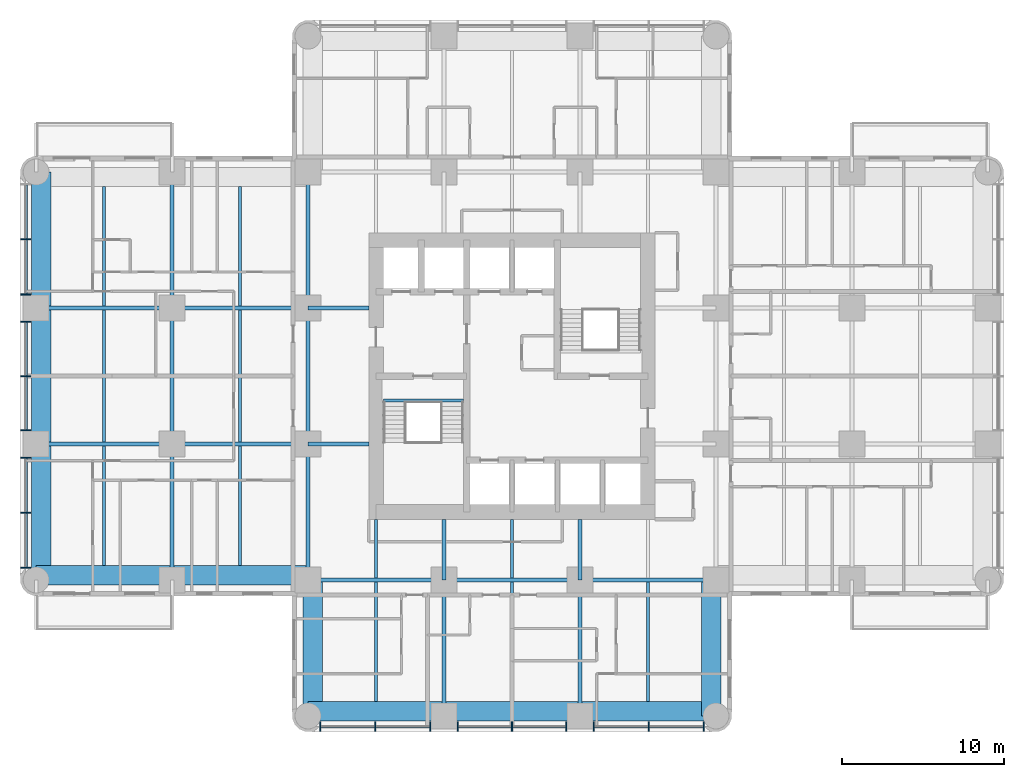
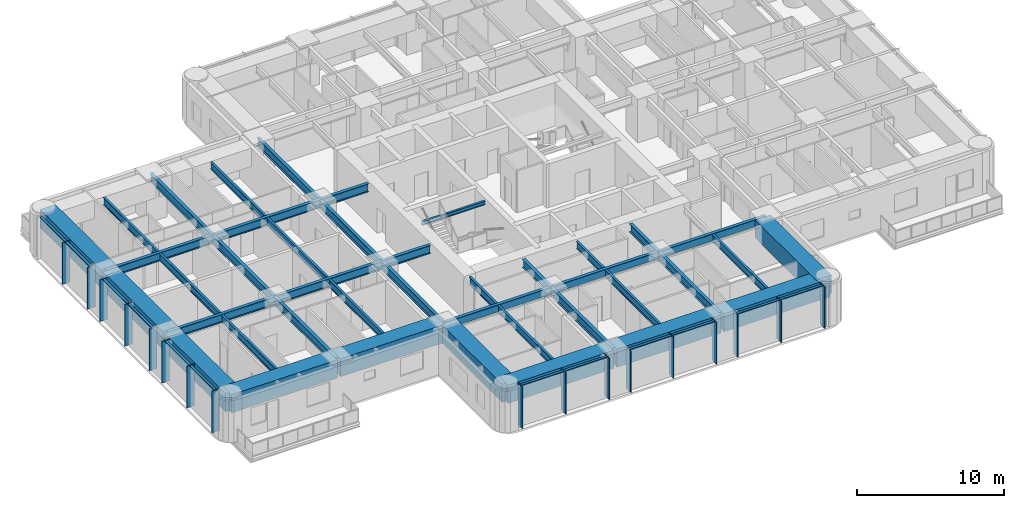
# One storey, part 2 of 14: 41 beams, 29 members, 2 elements without a shape of their own.
"""IFC4 building model written with IfcOpenShell, lengths in metres."""

import ifcopenshell
import ifcopenshell.guid

model = None  # the IFC model being written
_history = None  # IfcOwnerHistory: only IFC2X3 demands one
_inside = {}  # id of a spatial element -> (the spatial element, [elements in it])
_under = {}  # id of a project, library or spatial element -> (it, [spatial elements below it])
_declared = {}  # id of a project -> (the project, [libraries it declares])
_typed = {}  # id of a type object -> (the type object, [elements of that type])
_made_of = {}  # id of a material, layer set ... -> (it, [elements and type objects made of it])


def new_model(schema):
    """Start an empty IFC model of exactly this schema.

    Asked for "IFC4X3", IfcOpenShell would pick the latest addendum, in which some entities
    have other attributes; the version numbers below select the first issue.
    IFC2X3 requires an IfcOwnerHistory on every rooted entity: one is made here for all.
    """
    global model, _history
    if schema == "IFC4X3":
        model = ifcopenshell.file(schema_version=(4, 3, 0, 0))
    else:
        model = ifcopenshell.file(schema=schema)
    _inside.clear()
    _under.clear()
    _declared.clear()
    _typed.clear()
    _made_of.clear()
    _history = None
    if model.schema == "IFC2X3":
        org = make("IfcOrganization", Name="unknown")
        user = make(
            "IfcPersonAndOrganization",
            ThePerson=make("IfcPerson", FamilyName="unknown"),
            TheOrganization=org,
        )
        app = make(
            "IfcApplication",
            ApplicationDeveloper=org,
            Version="unknown",
            ApplicationFullName="unknown",
            ApplicationIdentifier="unknown",
        )
        _history = make(
            "IfcOwnerHistory",
            OwningUser=user,
            OwningApplication=app,
            ChangeAction="ADDED",
            CreationDate=0,
        )
    return model


def make(cls, **values):
    """One entity of the class cls with the attributes given. An attribute that is None is left unset."""
    return model.create_entity(
        cls, **{name: value for name, value in values.items() if value is not None}
    )


def rooted(cls, **values):
    """An entity with a GlobalId (a new one), such as an element, a storey or a relation."""
    return make(cls, GlobalId=ifcopenshell.guid.new(), OwnerHistory=_history, **values)


def si_unit(unit_type, name, prefix=None):
    """IfcSIUnit, for example si_unit("LENGTHUNIT", "METRE", prefix="MILLI")."""
    return make("IfcSIUnit", UnitType=unit_type, Prefix=prefix, Name=name)


def assignment(units):
    """IfcUnitAssignment: the units of a project."""
    return None if units is None else make("IfcUnitAssignment", Units=units)


def point(xyz):
    """IfcCartesianPoint."""
    return None if xyz is None else make("IfcCartesianPoint", Coordinates=xyz)


def direction(xyz):
    """IfcDirection."""
    return None if xyz is None else make("IfcDirection", DirectionRatios=xyz)


def frame(location, z_axis=None, x_axis=None):
    """IfcAxis2Placement3D, a coordinate frame: its origin and axes. An axis left out is left unset."""
    return make(
        "IfcAxis2Placement3D",
        Location=point(location),
        Axis=direction(z_axis),
        RefDirection=direction(x_axis),
    )


def frame_2d(location, x_axis=None):
    """IfcAxis2Placement2D, a coordinate frame in the plane: its origin and x axis."""
    return make(
        "IfcAxis2Placement2D", Location=point(location), RefDirection=direction(x_axis)
    )


def origin():
    """The frame at (0, 0, 0) with its axes left unset."""
    return frame((0.0, 0.0, 0.0))


def origin_2d():
    """The frame at (0, 0) in the plane with its x axis left unset."""
    return frame_2d((0.0, 0.0))


def place(relative_to, where):
    """IfcLocalPlacement: puts the frame where relative to a parent placement (None: the world)."""
    return make(
        "IfcLocalPlacement", PlacementRelTo=relative_to, RelativePlacement=where
    )


def context(
    kind, dimensions, precision=None, world=None, true_north=None, identifier=None
):
    """IfcGeometricRepresentationContext, for example the 3D "Model" context."""
    return make(
        "IfcGeometricRepresentationContext",
        ContextIdentifier=identifier,
        ContextType=kind,
        CoordinateSpaceDimension=dimensions,
        Precision=precision,
        WorldCoordinateSystem=world,
        TrueNorth=true_north,
    )


def subcontext(parent, identifier, kind, view, scale=None):
    """IfcGeometricRepresentationSubContext, for example "Body" below "Model"."""
    return make(
        "IfcGeometricRepresentationSubContext",
        ContextIdentifier=identifier,
        ContextType=kind,
        ParentContext=parent,
        TargetScale=scale,
        TargetView=view,
    )


def project(units=None, contexts=None):
    """IfcProject with its units and contexts."""
    return rooted(
        "IfcProject",
        Name="project",
        RepresentationContexts=contexts,
        UnitsInContext=assignment(units),
    )


def spatial(cls, under=None, at=None, **own):
    """A site, building, storey or space (cls), placed at a placement, below another one or the project."""
    s = rooted(cls, ObjectPlacement=at, **own)
    if under is not None:
        _under.setdefault(under.id(), (under, []))[1].append(s)
    return s


def profile(cls, at=None, kind="AREA", **sizes):
    """A parametric profile (cls). Its sizes go by their IFC names, for example OverallWidth=200.0."""
    return make(cls, ProfileType=kind, Position=at, **sizes)


def rectangle(**sizes):
    """IfcRectangleProfileDef."""
    return profile("IfcRectangleProfileDef", **sizes)


def i_section(**sizes):
    """IfcIShapeProfileDef."""
    return profile("IfcIShapeProfileDef", **sizes)


def extrude(swept, where, along, depth):
    """IfcExtrudedAreaSolid: the profile swept, set in the frame where, extruded along a direction by depth."""
    return make(
        "IfcExtrudedAreaSolid",
        SweptArea=swept,
        Position=where,
        ExtrudedDirection=direction(along),
        Depth=depth,
    )


def shape(context_of_items, identifier, shape_type, items):
    """IfcShapeRepresentation: the items that make up one representation, for example the "Body"."""
    return make(
        "IfcShapeRepresentation",
        ContextOfItems=context_of_items,
        RepresentationIdentifier=identifier,
        RepresentationType=shape_type,
        Items=items,
    )


def material(Name=None, Category=None):
    """IfcMaterial."""
    return make("IfcMaterial", Name=Name, Category=Category)


def material_profile(
    of_material, cross_section, Name=None, Category=None, Priority=None
):
    """IfcMaterialProfile: a cross section and its material."""
    return make(
        "IfcMaterialProfile",
        Name=Name,
        Material=of_material,
        Profile=cross_section,
        Priority=Priority,
        Category=Category,
    )


def profile_set(profiles, Name=None, composite=None):
    """IfcMaterialProfileSet."""
    return make(
        "IfcMaterialProfileSet",
        Name=Name,
        MaterialProfiles=profiles,
        CompositeProfile=composite,
    )


def made_of(thing, what):
    """Note that an element or type object is made of a material, layer set ...; save() writes the relation."""
    if what is not None:
        _made_of.setdefault(what.id(), (what, []))[1].append(thing)
    return thing


def type_object(cls, material=None, **own):
    """A type object (cls), such as IfcWallType, which elements share."""
    return made_of(rooted(cls, **own), material)


def element(
    cls,
    number,
    at=None,
    inside=None,
    cuts=None,
    type_object=None,
    material=None,
    context=None,
    identifier="Body",
    shape_type=None,
    held_by="IfcProductDefinitionShape",
    body=None,
    shapes=None,
    **own,
):
    """One element of the class cls, such as IfcWall. Its Tag is "e" and its number.

    at: its placement. inside: the storey or other place that contains it. cuts: it is an
    opening in that element (IfcRelVoidsElement). A single representation is given by context,
    identifier, shape_type and body (its items); several are given by shapes. held_by: the class
    of the entity that holds the representations. save() writes the other relations.
    """
    e = rooted(cls, Tag="e%d" % number, ObjectPlacement=at, **own)
    if body is not None:
        shapes = [shape(context, identifier, shape_type, body)]
    if shapes is not None:
        e.Representation = make(held_by, Representations=shapes)
    if inside is not None:
        _inside.setdefault(inside.id(), (inside, []))[1].append(e)
    if cuts is not None:
        rooted(
            "IfcRelVoidsElement", RelatingBuildingElement=cuts, RelatedOpeningElement=e
        )
    if type_object is not None:
        _typed.setdefault(type_object.id(), (type_object, []))[1].append(e)
    return made_of(e, material)


def aggregate(whole, parts):
    """IfcRelAggregates: a whole, such as a stair, and the parts it consists of."""
    return rooted("IfcRelAggregates", RelatingObject=whole, RelatedObjects=parts)


def save(model, path):
    """Write the relations noted so far, then the file.

    IfcRelAggregates (storeys below a building ...), IfcRelContainedInSpatialStructure (elements
    in a storey), IfcRelDefinesByType, IfcRelAssociatesMaterial and IfcRelDeclares: one each for
    every whole, place, type object, material and project.
    """
    for whole, parts in _under.values():
        aggregate(whole, parts)
    for where, things in _inside.values():
        rooted(
            "IfcRelContainedInSpatialStructure",
            RelatedElements=things,
            RelatingStructure=where,
        )
    for kind, things in _typed.values():
        rooted("IfcRelDefinesByType", RelatedObjects=things, RelatingType=kind)
    for what, things in _made_of.values():
        rooted("IfcRelAssociatesMaterial", RelatedObjects=things, RelatingMaterial=what)
    for by, libraries in _declared.values():
        rooted("IfcRelDeclares", RelatingContext=by, RelatedDefinitions=libraries)
    model.write(path)


model = new_model("IFC4")

# Units and contexts
model_context = context("Model", 3, precision=1e-05, world=origin(), true_north=direction((0.0, 1.0)))
body_context = subcontext(model_context, "Body", "Model", "MODEL_VIEW")
ifc_project = project(units=[si_unit("LENGTHUNIT", "METRE"), si_unit("AREAUNIT", "SQUARE_METRE"), si_unit("VOLUMEUNIT", "CUBIC_METRE"), si_unit("PLANEANGLEUNIT", "RADIAN"), si_unit("MASSUNIT", "GRAM", prefix="KILO")], contexts=[model_context])

# Site, building, storey
site_placement = place(None, origin())
site = spatial("IfcSite", under=ifc_project, at=site_placement, CompositionType="ELEMENT")
building_placement = place(site_placement, origin())
building = spatial("IfcBuilding", under=site, at=building_placement, Name="Torre Alcanfor", CompositionType="ELEMENT")
storey_placement = place(building_placement, frame((0.0, 0.0, 166.5)))
storey = spatial("IfcBuildingStorey", under=building, at=storey_placement, Name="L43", CompositionType="ELEMENT", Elevation=166.5)

# Curtain wall, members
ifc_material_1 = material(Name="Aluminium and glass", Category="aluminium")
curtain_wall_type = type_object("IfcCurtainWallType", Name="CW-A unitised apartment glazing with vertical FIN", PredefinedType="NOTDEFINED", material=ifc_material_1)
curtain_wall_1_placement = place(storey_placement, origin())
curtain_wall_1 = element("IfcCurtainWall", 1, at=curtain_wall_1_placement, inside=storey, type_object=curtain_wall_type, Name="Curtain wall CW-A L43 2", PredefinedType="NOTDEFINED")
ifc_material_2 = material(Name="Bronze anodised aluminium", Category="aluminium")
ifc_material_profile_1 = material_profile(ifc_material_2, rectangle(XDim=0.60009765625, YDim=0.06494140625, at=origin_2d()), Name="CW-A mullion 65x600")
ifc_profile_set_1 = profile_set([ifc_material_profile_1], Name="Bronze anodised aluminium")
member_type_1 = type_object("IfcMemberType", Name="CW-A mullion with vertical FIN 65x600", PredefinedType="MULLION", material=ifc_profile_set_1)
member_1_placement = place(storey_placement, frame((-0.64990234375, 37.840087890625, 0.0), z_axis=(0.0, 0.0, 1.0), x_axis=(1.0, 0.0, 0.0)))
member_1 = element("IfcMember", 2, at=member_1_placement, type_object=member_type_1, Name="CW-A mullion 1.2", PredefinedType="MULLION", context=body_context, shape_type="SweptSolid", body=[
    extrude(rectangle(XDim=0.60009765625, YDim=0.06494140625, at=origin_2d()), origin(), (0.0, 0.0, 1.0), 3.449951171875),
])
member_2_placement = place(storey_placement, frame((-0.64990234375, 34.4375, 0.0), z_axis=(0.0, 0.0, 1.0), x_axis=(1.0, 0.0, 0.0)))
member_2 = element("IfcMember", 3, at=member_2_placement, type_object=member_type_1, Name="CW-A mullion 1.3", PredefinedType="MULLION", context=body_context, shape_type="SweptSolid", body=[
    extrude(rectangle(XDim=0.60009765625, YDim=0.06494140625, at=origin_2d()), origin(), (0.0, 0.0, 1.0), 3.449951171875),
])
member_3_placement = place(storey_placement, frame((-0.64990234375, 32.762451171875, 0.0), z_axis=(0.0, 0.0, 1.0), x_axis=(1.0, 0.0, 0.0)))
member_3 = element("IfcMember", 4, at=member_3_placement, type_object=member_type_1, Name="CW-A mullion 2.1", PredefinedType="MULLION", context=body_context, shape_type="SweptSolid", body=[
    extrude(rectangle(XDim=0.60009765625, YDim=0.06494140625, at=origin_2d()), origin(), (0.0, 0.0, 1.0), 3.449951171875),
])
member_4_placement = place(storey_placement, frame((-0.64990234375, 29.39990234375, 0.0), z_axis=(0.0, 0.0, 1.0), x_axis=(1.0, 0.0, 0.0)))
member_4 = element("IfcMember", 5, at=member_4_placement, type_object=member_type_1, Name="CW-A mullion 2.2", PredefinedType="MULLION", context=body_context, shape_type="SweptSolid", body=[
    extrude(rectangle(XDim=0.60009765625, YDim=0.06494140625, at=origin_2d()), origin(), (0.0, 0.0, 1.0), 3.449951171875),
])
member_5_placement = place(storey_placement, frame((-0.64990234375, 26.03759765625, 0.0), z_axis=(0.0, 0.0, 1.0), x_axis=(1.0, 0.0, 0.0)))
member_5 = element("IfcMember", 6, at=member_5_placement, type_object=member_type_1, Name="CW-A mullion 2.3", PredefinedType="MULLION", context=body_context, shape_type="SweptSolid", body=[
    extrude(rectangle(XDim=0.60009765625, YDim=0.06494140625, at=origin_2d()), origin(), (0.0, 0.0, 1.0), 3.449951171875),
])
member_6_placement = place(storey_placement, frame((-0.64990234375, 24.362548828125, 0.0), z_axis=(0.0, 0.0, 1.0), x_axis=(1.0, 0.0, 0.0)))
member_6 = element("IfcMember", 7, at=member_6_placement, type_object=member_type_1, Name="CW-A mullion 3.1", PredefinedType="MULLION", context=body_context, shape_type="SweptSolid", body=[
    extrude(rectangle(XDim=0.60009765625, YDim=0.06494140625, at=origin_2d()), origin(), (0.0, 0.0, 1.0), 3.449951171875),
])
member_7_placement = place(storey_placement, frame((-0.64990234375, 20.9599609375, 0.0), z_axis=(0.0, 0.0, 1.0), x_axis=(1.0, 0.0, 0.0)))
member_7 = element("IfcMember", 8, at=member_7_placement, type_object=member_type_1, Name="CW-A mullion 3.2", PredefinedType="MULLION", context=body_context, shape_type="SweptSolid", body=[
    extrude(rectangle(XDim=0.60009765625, YDim=0.06494140625, at=origin_2d()), origin(), (0.0, 0.0, 1.0), 3.449951171875),
])
member_8_placement = place(storey_placement, frame((-0.64990234375, 17.557373046875, 0.0), z_axis=(0.0, 0.0, 1.0), x_axis=(1.0, 0.0, 0.0)))
member_8 = element("IfcMember", 9, at=member_8_placement, type_object=member_type_1, Name="CW-A mullion 3.3", PredefinedType="MULLION", context=body_context, shape_type="SweptSolid", body=[
    extrude(rectangle(XDim=0.60009765625, YDim=0.06494140625, at=origin_2d()), origin(), (0.0, 0.0, 1.0), 3.449951171875),
])

curtain_wall_2_placement = place(storey_placement, origin())
curtain_wall_2 = element("IfcCurtainWall", 10, at=curtain_wall_2_placement, inside=storey, type_object=curtain_wall_type, Name="Curtain wall CW-A L43 5", PredefinedType="NOTDEFINED")
member_9_placement = place(storey_placement, frame((17.557373046875, 7.75, 0.0), z_axis=(0.0, 0.0, 1.0), x_axis=(0.0, 1.0, 0.0)))
member_9 = element("IfcMember", 11, at=member_9_placement, type_object=member_type_1, Name="CW-A mullion 1.1", PredefinedType="MULLION", context=body_context, shape_type="SweptSolid", body=[
    extrude(rectangle(XDim=0.60009765625, YDim=0.06494140625, at=origin_2d()), origin(), (0.0, 0.0, 1.0), 3.449951171875),
])
member_10_placement = place(storey_placement, frame((20.9599609375, 7.75, 0.0), z_axis=(0.0, 0.0, 1.0), x_axis=(0.0, 1.0, 0.0)))
member_10 = element("IfcMember", 12, at=member_10_placement, type_object=member_type_1, Name="CW-A mullion 1.2", PredefinedType="MULLION", context=body_context, shape_type="SweptSolid", body=[
    extrude(rectangle(XDim=0.60009765625, YDim=0.06494140625, at=origin_2d()), origin(), (0.0, 0.0, 1.0), 3.449951171875),
])
member_11_placement = place(storey_placement, frame((24.362548828125, 7.75, 0.0), z_axis=(0.0, 0.0, 1.0), x_axis=(0.0, 1.0, 0.0)))
member_11 = element("IfcMember", 13, at=member_11_placement, type_object=member_type_1, Name="CW-A mullion 1.3", PredefinedType="MULLION", context=body_context, shape_type="SweptSolid", body=[
    extrude(rectangle(XDim=0.60009765625, YDim=0.06494140625, at=origin_2d()), origin(), (0.0, 0.0, 1.0), 3.449951171875),
])
member_12_placement = place(storey_placement, frame((26.03759765625, 7.75, 0.0), z_axis=(0.0, 0.0, 1.0), x_axis=(0.0, 1.0, 0.0)))
member_12 = element("IfcMember", 14, at=member_12_placement, type_object=member_type_1, Name="CW-A mullion 2.1", PredefinedType="MULLION", context=body_context, shape_type="SweptSolid", body=[
    extrude(rectangle(XDim=0.60009765625, YDim=0.06494140625, at=origin_2d()), origin(), (0.0, 0.0, 1.0), 3.449951171875),
])
member_13_placement = place(storey_placement, frame((29.39990234375, 7.75, 0.0), z_axis=(0.0, 0.0, 1.0), x_axis=(0.0, 1.0, 0.0)))
member_13 = element("IfcMember", 15, at=member_13_placement, type_object=member_type_1, Name="CW-A mullion 2.2", PredefinedType="MULLION", context=body_context, shape_type="SweptSolid", body=[
    extrude(rectangle(XDim=0.60009765625, YDim=0.06494140625, at=origin_2d()), origin(), (0.0, 0.0, 1.0), 3.449951171875),
])
member_14_placement = place(storey_placement, frame((32.762451171875, 7.75, 0.0), z_axis=(0.0, 0.0, 1.0), x_axis=(0.0, 1.0, 0.0)))
member_14 = element("IfcMember", 16, at=member_14_placement, type_object=member_type_1, Name="CW-A mullion 2.3", PredefinedType="MULLION", context=body_context, shape_type="SweptSolid", body=[
    extrude(rectangle(XDim=0.60009765625, YDim=0.06494140625, at=origin_2d()), origin(), (0.0, 0.0, 1.0), 3.449951171875),
])
member_15_placement = place(storey_placement, frame((34.4375, 7.75, 0.0), z_axis=(0.0, 0.0, 1.0), x_axis=(0.0, 1.0, 0.0)))
member_15 = element("IfcMember", 17, at=member_15_placement, type_object=member_type_1, Name="CW-A mullion 3.1", PredefinedType="MULLION", context=body_context, shape_type="SweptSolid", body=[
    extrude(rectangle(XDim=0.60009765625, YDim=0.06494140625, at=origin_2d()), origin(), (0.0, 0.0, 1.0), 3.449951171875),
])
member_16_placement = place(storey_placement, frame((37.840087890625, 7.75, 0.0), z_axis=(0.0, 0.0, 1.0), x_axis=(0.0, 1.0, 0.0)))
member_16 = element("IfcMember", 18, at=member_16_placement, type_object=member_type_1, Name="CW-A mullion 3.2", PredefinedType="MULLION", context=body_context, shape_type="SweptSolid", body=[
    extrude(rectangle(XDim=0.60009765625, YDim=0.06494140625, at=origin_2d()), origin(), (0.0, 0.0, 1.0), 3.449951171875),
])
member_17_placement = place(storey_placement, frame((41.24267578125, 7.75, 0.0), z_axis=(0.0, 0.0, 1.0), x_axis=(0.0, 1.0, 0.0)))
member_17 = element("IfcMember", 19, at=member_17_placement, type_object=member_type_1, Name="CW-A mullion 3.3", PredefinedType="MULLION", context=body_context, shape_type="SweptSolid", body=[
    extrude(rectangle(XDim=0.60009765625, YDim=0.06494140625, at=origin_2d()), origin(), (0.0, 0.0, 1.0), 3.449951171875),
])

# Member
ifc_material_3 = material(Name="Extruded aluminium", Category="aluminium")
ifc_material_profile_2 = material_profile(ifc_material_3, rectangle(XDim=0.199951171875, YDim=0.06494140625, at=origin_2d()), Name="CW-A transom 200x65")
ifc_profile_set_2 = profile_set([ifc_material_profile_2], Name="Extruded aluminium")
member_type_2 = type_object("IfcMemberType", Name="CW-A transom 65x200", PredefinedType="USERDEFINED", material=ifc_profile_set_2)
member_18_placement = place(storey_placement, frame((-0.64990234375, 41.210205078125, 3.41748046875), z_axis=(0.0, -1.0, 0.0), x_axis=(1.0, 0.0, 0.0)))
member_18 = element("IfcMember", 20, at=member_18_placement, type_object=member_type_2, Name="CW-A transom 1.1.2", ObjectType="TRANSOM", PredefinedType="USERDEFINED", context=body_context, shape_type="SweptSolid", body=[
    extrude(rectangle(XDim=0.199951171875, YDim=0.06494140625, at=origin_2d()), origin(), (0.0, 0.0, 1.0), 3.337646484375),
])

member_19_placement = place(storey_placement, frame((-0.64990234375, 37.8076171875, 3.41748046875), z_axis=(0.0, -1.0, 0.0), x_axis=(1.0, 0.0, 0.0)))
member_19 = element("IfcMember", 21, at=member_19_placement, type_object=member_type_2, Name="CW-A transom 1.2.2", ObjectType="TRANSOM", PredefinedType="USERDEFINED", context=body_context, shape_type="SweptSolid", body=[
    extrude(rectangle(XDim=0.199951171875, YDim=0.06494140625, at=origin_2d()), origin(), (0.0, 0.0, 1.0), 3.337646484375),
])

member_20_placement = place(storey_placement, frame((-0.64990234375, 32.72998046875, 3.41748046875), z_axis=(0.0, -1.0, 0.0), x_axis=(1.0, 0.0, 0.0)))
member_20 = element("IfcMember", 22, at=member_20_placement, type_object=member_type_2, Name="CW-A transom 2.1.2", ObjectType="TRANSOM", PredefinedType="USERDEFINED", context=body_context, shape_type="SweptSolid", body=[
    extrude(rectangle(XDim=0.199951171875, YDim=0.06494140625, at=origin_2d()), origin(), (0.0, 0.0, 1.0), 3.29736328125),
])

member_21_placement = place(storey_placement, frame((-0.64990234375, 29.367431640625, 3.41748046875), z_axis=(0.0, -1.0, 0.0), x_axis=(1.0, 0.0, 0.0)))
member_21 = element("IfcMember", 23, at=member_21_placement, type_object=member_type_2, Name="CW-A transom 2.2.2", ObjectType="TRANSOM", PredefinedType="USERDEFINED", context=body_context, shape_type="SweptSolid", body=[
    extrude(rectangle(XDim=0.199951171875, YDim=0.06494140625, at=origin_2d()), origin(), (0.0, 0.0, 1.0), 3.29736328125),
])

member_22_placement = place(storey_placement, frame((-0.64990234375, 24.330078125, 3.41748046875), z_axis=(0.0, -1.0, 0.0), x_axis=(1.0, 0.0, 0.0)))
member_22 = element("IfcMember", 24, at=member_22_placement, type_object=member_type_2, Name="CW-A transom 3.1.2", ObjectType="TRANSOM", PredefinedType="USERDEFINED", context=body_context, shape_type="SweptSolid", body=[
    extrude(rectangle(XDim=0.199951171875, YDim=0.06494140625, at=origin_2d()), origin(), (0.0, 0.0, 1.0), 3.337646484375),
])

member_23_placement = place(storey_placement, frame((-0.64990234375, 20.927490234375, 3.41748046875), z_axis=(0.0, -1.0, 0.0), x_axis=(1.0, 0.0, 0.0)))
member_23 = element("IfcMember", 25, at=member_23_placement, type_object=member_type_2, Name="CW-A transom 3.2.2", ObjectType="TRANSOM", PredefinedType="USERDEFINED", context=body_context, shape_type="SweptSolid", body=[
    extrude(rectangle(XDim=0.199951171875, YDim=0.06494140625, at=origin_2d()), origin(), (0.0, 0.0, 1.0), 3.337646484375),
])

aggregate(curtain_wall_1, [member_1, member_2, member_18, member_19, member_3, member_4, member_5, member_20, member_21, member_6, member_7, member_8, member_22, member_23])

member_24_placement = place(storey_placement, frame((17.58984375, 7.75, 3.41748046875), z_axis=(1.0, 0.0, 0.0), x_axis=(0.0, 1.0, 0.0)))
member_24 = element("IfcMember", 26, at=member_24_placement, type_object=member_type_2, Name="CW-A transom 1.1.2", ObjectType="TRANSOM", PredefinedType="USERDEFINED", context=body_context, shape_type="SweptSolid", body=[
    extrude(rectangle(XDim=0.199951171875, YDim=0.06494140625, at=origin_2d()), origin(), (0.0, 0.0, 1.0), 3.337646484375),
])

member_25_placement = place(storey_placement, frame((20.992431640625, 7.75, 3.41748046875), z_axis=(1.0, 0.0, 0.0), x_axis=(0.0, 1.0, 0.0)))
member_25 = element("IfcMember", 27, at=member_25_placement, type_object=member_type_2, Name="CW-A transom 1.2.2", ObjectType="TRANSOM", PredefinedType="USERDEFINED", context=body_context, shape_type="SweptSolid", body=[
    extrude(rectangle(XDim=0.199951171875, YDim=0.06494140625, at=origin_2d()), origin(), (0.0, 0.0, 1.0), 3.337646484375),
])

member_26_placement = place(storey_placement, frame((26.070068359375, 7.75, 3.41748046875), z_axis=(1.0, 0.0, 0.0), x_axis=(0.0, 1.0, 0.0)))
member_26 = element("IfcMember", 28, at=member_26_placement, type_object=member_type_2, Name="CW-A transom 2.1.2", ObjectType="TRANSOM", PredefinedType="USERDEFINED", context=body_context, shape_type="SweptSolid", body=[
    extrude(rectangle(XDim=0.199951171875, YDim=0.06494140625, at=origin_2d()), origin(), (0.0, 0.0, 1.0), 3.29736328125),
])

member_27_placement = place(storey_placement, frame((29.4326171875, 7.75, 3.41748046875), z_axis=(1.0, 0.0, 0.0), x_axis=(0.0, 1.0, 0.0)))
member_27 = element("IfcMember", 29, at=member_27_placement, type_object=member_type_2, Name="CW-A transom 2.2.2", ObjectType="TRANSOM", PredefinedType="USERDEFINED", context=body_context, shape_type="SweptSolid", body=[
    extrude(rectangle(XDim=0.199951171875, YDim=0.06494140625, at=origin_2d()), origin(), (0.0, 0.0, 1.0), 3.29736328125),
])

member_28_placement = place(storey_placement, frame((34.469970703125, 7.75, 3.41748046875), z_axis=(1.0, 0.0, 0.0), x_axis=(0.0, 1.0, 0.0)))
member_28 = element("IfcMember", 30, at=member_28_placement, type_object=member_type_2, Name="CW-A transom 3.1.2", ObjectType="TRANSOM", PredefinedType="USERDEFINED", context=body_context, shape_type="SweptSolid", body=[
    extrude(rectangle(XDim=0.199951171875, YDim=0.06494140625, at=origin_2d()), origin(), (0.0, 0.0, 1.0), 3.337646484375),
])

member_29_placement = place(storey_placement, frame((37.87255859375, 7.75, 3.41748046875), z_axis=(1.0, 0.0, 0.0), x_axis=(0.0, 1.0, 0.0)))
member_29 = element("IfcMember", 31, at=member_29_placement, type_object=member_type_2, Name="CW-A transom 3.2.2", ObjectType="TRANSOM", PredefinedType="USERDEFINED", context=body_context, shape_type="SweptSolid", body=[
    extrude(rectangle(XDim=0.199951171875, YDim=0.06494140625, at=origin_2d()), origin(), (0.0, 0.0, 1.0), 3.337646484375),
])

aggregate(curtain_wall_2, [member_9, member_10, member_11, member_24, member_25, member_12, member_13, member_14, member_26, member_27, member_15, member_16, member_17, member_28, member_29])

# Beams
ifc_material_4 = material(Name="Steel ASTM A992 Grade 50", Category="steel")
ifc_material_profile_3 = material_profile(ifc_material_4, i_section(OverallWidth=0.25390625, OverallDepth=0.683349609375, WebThickness=0.012451171875, FlangeThickness=0.01904296875, at=origin_2d()), Name="W27x94")
ifc_profile_set_3 = profile_set([ifc_material_profile_3], Name="Steel ASTM A992 Grade 50")
beam_type_1 = type_object("IfcBeamType", Name="Girder W27x94", PredefinedType="BEAM", material=ifc_profile_set_3)
beam_1_placement = place(storey_placement, frame((16.800048828125, 16.800048828125, 3.1083984375), z_axis=(1.0, 0.0, 0.0), x_axis=(0.0, 1.0, 0.0)))
element("IfcBeam", 32, at=beam_1_placement, inside=storey, type_object=beam_type_1, Name="Beam 3E-4E under L44", PredefinedType="BEAM", context=body_context, shape_type="SweptSolid", body=[
    extrude(i_section(OverallWidth=0.25390625, OverallDepth=0.683349609375, WebThickness=0.012451171875, FlangeThickness=0.01904296875, at=origin_2d()), origin(), (0.0, 0.0, 1.0), 8.39990234375),
])
beam_2_placement = place(storey_placement, frame((25.199951171875, 16.800048828125, 3.1083984375), z_axis=(1.0, 0.0, 0.0), x_axis=(0.0, 1.0, 0.0)))
element("IfcBeam", 33, at=beam_2_placement, inside=storey, type_object=beam_type_1, Name="Beam 4E-5E under L44", PredefinedType="BEAM", context=body_context, shape_type="SweptSolid", body=[
    extrude(i_section(OverallWidth=0.25390625, OverallDepth=0.683349609375, WebThickness=0.012451171875, FlangeThickness=0.01904296875, at=origin_2d()), origin(), (0.0, 0.0, 1.0), 8.400146484375),
])
for number, where, z_axis, x_axis, name in (
    (34, (33.60009765625, 16.800048828125, 3.1083984375), (1.0, 0.0, 0.0), (0.0, 1.0, 0.0), "Beam 5E-6E under L44"),
    (35, (0.0, 25.199951171875, 3.1083984375), (1.0, 0.0, 0.0), (0.0, 1.0, 0.0), "Beam 1F-2F under L44"),
):
    element("IfcBeam", number, at=place(storey_placement, frame(where, z_axis=z_axis, x_axis=x_axis)), inside=storey, type_object=beam_type_1, Name=name, PredefinedType="BEAM", context=body_context, shape_type="SweptSolid", body=[
        extrude(i_section(OverallWidth=0.25390625, OverallDepth=0.683349609375, WebThickness=0.012451171875, FlangeThickness=0.01904296875, at=origin_2d()), origin(), (0.0, 0.0, 1.0), 8.39990234375),
    ])
beam_3_placement = place(storey_placement, frame((8.39990234375, 25.199951171875, 3.1083984375), z_axis=(1.0, 0.0, 0.0), x_axis=(0.0, 1.0, 0.0)))
element("IfcBeam", 36, at=beam_3_placement, inside=storey, type_object=beam_type_1, Name="Beam 2F-3F under L44", PredefinedType="BEAM", context=body_context, shape_type="SweptSolid", body=[
    extrude(i_section(OverallWidth=0.25390625, OverallDepth=0.683349609375, WebThickness=0.012451171875, FlangeThickness=0.01904296875, at=origin_2d()), origin(), (0.0, 0.0, 1.0), 8.400146484375),
])
beam_4_placement = place(storey_placement, frame((0.0, 33.60009765625, 3.1083984375), z_axis=(1.0, 0.0, 0.0), x_axis=(0.0, 1.0, 0.0)))
element("IfcBeam", 37, at=beam_4_placement, inside=storey, type_object=beam_type_1, Name="Beam 1G-2G under L44", PredefinedType="BEAM", context=body_context, shape_type="SweptSolid", body=[
    extrude(i_section(OverallWidth=0.25390625, OverallDepth=0.683349609375, WebThickness=0.012451171875, FlangeThickness=0.01904296875, at=origin_2d()), origin(), (0.0, 0.0, 1.0), 8.39990234375),
])
beam_5_placement = place(storey_placement, frame((8.39990234375, 33.60009765625, 3.1083984375), z_axis=(1.0, 0.0, 0.0), x_axis=(0.0, 1.0, 0.0)))
element("IfcBeam", 38, at=beam_5_placement, inside=storey, type_object=beam_type_1, Name="Beam 2G-3G under L44", PredefinedType="BEAM", context=body_context, shape_type="SweptSolid", body=[
    extrude(i_section(OverallWidth=0.25390625, OverallDepth=0.683349609375, WebThickness=0.012451171875, FlangeThickness=0.01904296875, at=origin_2d()), origin(), (0.0, 0.0, 1.0), 8.400146484375),
])
beam_6_placement = place(storey_placement, frame((8.39990234375, 16.800048828125, 3.1083984375), z_axis=(0.0, 1.0, 0.0), x_axis=(-1.0, 0.0, 0.0)))
element("IfcBeam", 39, at=beam_6_placement, inside=storey, type_object=beam_type_1, Name="Beam 2E-2F under L44", PredefinedType="BEAM", context=body_context, shape_type="SweptSolid", body=[
    extrude(i_section(OverallWidth=0.25390625, OverallDepth=0.683349609375, WebThickness=0.012451171875, FlangeThickness=0.01904296875, at=origin_2d()), origin(), (0.0, 0.0, 1.0), 8.39990234375),
])
beam_7_placement = place(storey_placement, frame((8.39990234375, 25.199951171875, 3.1083984375), z_axis=(0.0, 1.0, 0.0), x_axis=(-1.0, 0.0, 0.0)))
element("IfcBeam", 40, at=beam_7_placement, inside=storey, type_object=beam_type_1, Name="Beam 2F-2G under L44", PredefinedType="BEAM", context=body_context, shape_type="SweptSolid", body=[
    extrude(i_section(OverallWidth=0.25390625, OverallDepth=0.683349609375, WebThickness=0.012451171875, FlangeThickness=0.01904296875, at=origin_2d()), origin(), (0.0, 0.0, 1.0), 8.400146484375),
])
for number, where, z_axis, x_axis, name in (
    (41, (8.39990234375, 33.60009765625, 3.1083984375), (0.0, 1.0, 0.0), (-1.0, 0.0, 0.0), "Beam 2G-2H under L44"),
    (42, (16.800048828125, 16.800048828125, 3.1083984375), (0.0, 1.0, 0.0), (-1.0, 0.0, 0.0), "Beam 3E-3F under L44"),
):
    element("IfcBeam", number, at=place(storey_placement, frame(where, z_axis=z_axis, x_axis=x_axis)), inside=storey, type_object=beam_type_1, Name=name, PredefinedType="BEAM", context=body_context, shape_type="SweptSolid", body=[
        extrude(i_section(OverallWidth=0.25390625, OverallDepth=0.683349609375, WebThickness=0.012451171875, FlangeThickness=0.01904296875, at=origin_2d()), origin(), (0.0, 0.0, 1.0), 8.39990234375),
    ])
beam_8_placement = place(storey_placement, frame((16.800048828125, 25.199951171875, 3.1083984375), z_axis=(0.0, 1.0, 0.0), x_axis=(-1.0, 0.0, 0.0)))
element("IfcBeam", 43, at=beam_8_placement, inside=storey, type_object=beam_type_1, Name="Beam 3F-3G under L44", PredefinedType="BEAM", context=body_context, shape_type="SweptSolid", body=[
    extrude(i_section(OverallWidth=0.25390625, OverallDepth=0.683349609375, WebThickness=0.012451171875, FlangeThickness=0.01904296875, at=origin_2d()), origin(), (0.0, 0.0, 1.0), 8.400146484375),
])
beam_9_placement = place(storey_placement, frame((16.800048828125, 33.60009765625, 3.1083984375), z_axis=(0.0, 1.0, 0.0), x_axis=(-1.0, 0.0, 0.0)))
element("IfcBeam", 44, at=beam_9_placement, inside=storey, type_object=beam_type_1, Name="Beam 3G-3H under L44", PredefinedType="BEAM", context=body_context, shape_type="SweptSolid", body=[
    extrude(i_section(OverallWidth=0.25390625, OverallDepth=0.683349609375, WebThickness=0.012451171875, FlangeThickness=0.01904296875, at=origin_2d()), origin(), (0.0, 0.0, 1.0), 8.39990234375),
])
for number, where, z_axis, x_axis, name in (
    (45, (25.199951171875, 8.39990234375, 3.1083984375), (0.0, 1.0, 0.0), (-1.0, 0.0, 0.0), "Beam 4D-4E under L44"),
    (46, (33.60009765625, 8.39990234375, 3.1083984375), (0.0, 1.0, 0.0), (-1.0, 0.0, 0.0), "Beam 5D-5E under L44"),
):
    element("IfcBeam", number, at=place(storey_placement, frame(where, z_axis=z_axis, x_axis=x_axis)), inside=storey, type_object=beam_type_1, Name=name, PredefinedType="BEAM", context=body_context, shape_type="SweptSolid", body=[
        extrude(i_section(OverallWidth=0.25390625, OverallDepth=0.683349609375, WebThickness=0.012451171875, FlangeThickness=0.01904296875, at=origin_2d()), origin(), (0.0, 0.0, 1.0), 8.400146484375),
    ])
ifc_material_5 = material(Name="Steel ASTM A992 Grade 50", Category="steel")
ifc_material_profile_4 = material_profile(ifc_material_5, i_section(OverallWidth=0.25390625, OverallDepth=0.683349609375, WebThickness=0.012451171875, FlangeThickness=0.01904296875, at=origin_2d()), Name="W27x94")
ifc_profile_set_4 = profile_set([ifc_material_profile_4], Name="Steel ASTM A992 Grade 50")
beam_type_2 = type_object("IfcBeamType", Name="Girder, part bay W27x94", PredefinedType="BEAM", material=ifc_profile_set_4)
for number, where, z_axis, x_axis, name in (
    (47, (25.199951171875, 16.800048828125, 3.1083984375), (0.0, 1.0, 0.0), (-1.0, 0.0, 0.0), "Beam 4E-420_55 under L44"),
    (48, (33.60009765625, 16.800048828125, 3.1083984375), (0.0, 1.0, 0.0), (-1.0, 0.0, 0.0), "Beam 5E-520_55 under L44"),
    (49, (16.800048828125, 25.199951171875, 3.1083984375), (1.0, 0.0, 0.0), (0.0, 1.0, 0.0), "Beam 3F-20_55F under L44"),
    (50, (16.800048828125, 33.60009765625, 3.1083984375), (1.0, 0.0, 0.0), (0.0, 1.0, 0.0), "Beam 3G-20_55G under L44"),
):
    element("IfcBeam", number, at=place(storey_placement, frame(where, z_axis=z_axis, x_axis=x_axis)), inside=storey, type_object=beam_type_2, Name=name, PredefinedType="BEAM", context=body_context, shape_type="SweptSolid", body=[
        extrude(i_section(OverallWidth=0.25390625, OverallDepth=0.683349609375, WebThickness=0.012451171875, FlangeThickness=0.01904296875, at=origin_2d()), origin(), (0.0, 0.0, 1.0), 3.75),
    ])
ifc_material_6 = material(Name="Concrete f'c 70 MPa", Category="concrete")
ifc_material_profile_5 = material_profile(ifc_material_6, rectangle(XDim=1.199951171875, YDim=1.5, at=origin_2d()), Name="1200x1500")
ifc_profile_set_5 = profile_set([ifc_material_profile_5], Name="Concrete f'c 70 MPa")
beam_type_3 = type_object("IfcBeamType", Name="RC perimeter beam 1200x1500", PredefinedType="BEAM", material=ifc_profile_set_5)
beam_10_placement = place(storey_placement, frame((16.800048828125, 8.699951171875, 2.699951171875), z_axis=(1.0, 0.0, 0.0), x_axis=(0.0, 1.0, 0.0)))
element("IfcBeam", 51, at=beam_10_placement, inside=storey, type_object=beam_type_3, Name="Beam 3D-4D under L44", PredefinedType="BEAM", context=body_context, shape_type="SweptSolid", body=[
    extrude(rectangle(XDim=1.199951171875, YDim=1.5, at=origin_2d()), origin(), (0.0, 0.0, 1.0), 8.27294921875),
])
beam_11_placement = place(storey_placement, frame((25.326904296875, 8.699951171875, 2.699951171875), z_axis=(1.0, 0.0, 0.0), x_axis=(0.0, 1.0, 0.0)))
element("IfcBeam", 52, at=beam_11_placement, inside=storey, type_object=beam_type_3, Name="Beam 4D-5D under L44", PredefinedType="BEAM", context=body_context, shape_type="SweptSolid", body=[
    extrude(rectangle(XDim=1.199951171875, YDim=1.5, at=origin_2d()), origin(), (0.0, 0.0, 1.0), 8.14599609375),
])
for number, where, z_axis, x_axis, name in (
    (53, (33.72705078125, 8.699951171875, 2.699951171875), (1.0, 0.0, 0.0), (0.0, 1.0, 0.0), "Beam 5D-6D under L44"),
    (54, (0.0, 17.10009765625, 2.699951171875), (1.0, 0.0, 0.0), (0.0, 1.0, 0.0), "Beam 1E-2E under L44"),
):
    element("IfcBeam", number, at=place(storey_placement, frame(where, z_axis=z_axis, x_axis=x_axis)), inside=storey, type_object=beam_type_3, Name=name, PredefinedType="BEAM", context=body_context, shape_type="SweptSolid", body=[
        extrude(rectangle(XDim=1.199951171875, YDim=1.5, at=origin_2d()), origin(), (0.0, 0.0, 1.0), 8.27294921875),
    ])
beam_12_placement = place(storey_placement, frame((8.527099609375, 17.10009765625, 2.699951171875), z_axis=(1.0, 0.0, 0.0), x_axis=(0.0, 1.0, 0.0)))
element("IfcBeam", 55, at=beam_12_placement, inside=storey, type_object=beam_type_3, Name="Beam 2E-3E under L44", PredefinedType="BEAM", context=body_context, shape_type="SweptSolid", body=[
    extrude(rectangle(XDim=1.199951171875, YDim=1.5, at=origin_2d()), origin(), (0.0, 0.0, 1.0), 8.14599609375),
])
beam_13_placement = place(storey_placement, frame((0.300048828125, 16.800048828125, 2.699951171875), z_axis=(0.0, 1.0, 0.0), x_axis=(-1.0, 0.0, 0.0)))
element("IfcBeam", 56, at=beam_13_placement, inside=storey, type_object=beam_type_3, Name="Beam 1E-1F under L44", PredefinedType="BEAM", context=body_context, shape_type="SweptSolid", body=[
    extrude(rectangle(XDim=1.199951171875, YDim=1.5, at=origin_2d()), origin(), (0.0, 0.0, 1.0), 8.27294921875),
])
beam_14_placement = place(storey_placement, frame((0.300048828125, 25.326904296875, 2.699951171875), z_axis=(0.0, 1.0, 0.0), x_axis=(-1.0, 0.0, 0.0)))
element("IfcBeam", 57, at=beam_14_placement, inside=storey, type_object=beam_type_3, Name="Beam 1F-1G under L44", PredefinedType="BEAM", context=body_context, shape_type="SweptSolid", body=[
    extrude(rectangle(XDim=1.199951171875, YDim=1.5, at=origin_2d()), origin(), (0.0, 0.0, 1.0), 8.14599609375),
])
beam_15_placement = place(storey_placement, frame((0.300048828125, 33.72705078125, 2.699951171875), z_axis=(0.0, 1.0, 0.0), x_axis=(-1.0, 0.0, 0.0)))
element("IfcBeam", 58, at=beam_15_placement, inside=storey, type_object=beam_type_3, Name="Beam 1G-1H under L44", PredefinedType="BEAM", context=body_context, shape_type="SweptSolid", body=[
    extrude(rectangle(XDim=1.199951171875, YDim=1.5, at=origin_2d()), origin(), (0.0, 0.0, 1.0), 8.27294921875),
])
for number, where, z_axis, x_axis, name in (
    (59, (17.10009765625, 8.39990234375, 2.699951171875), (0.0, 1.0, 0.0), (-1.0, 0.0, 0.0), "Beam 3D-3E under L44"),
    (60, (41.699951171875, 8.39990234375, 2.699951171875), (0.0, 1.0, 0.0), (-1.0, 0.0, 0.0), "Beam 6D-6E under L44"),
):
    element("IfcBeam", number, at=place(storey_placement, frame(where, z_axis=z_axis, x_axis=x_axis)), inside=storey, type_object=beam_type_3, Name=name, PredefinedType="BEAM", context=body_context, shape_type="SweptSolid", body=[
        extrude(rectangle(XDim=1.199951171875, YDim=1.5, at=origin_2d()), origin(), (0.0, 0.0, 1.0), 8.273193359375),
    ])
ifc_material_7 = material(Name="Steel ASTM A992 Grade 50", Category="steel")
ifc_material_profile_6 = material_profile(ifc_material_7, i_section(OverallWidth=0.1787109375, OverallDepth=0.60205078125, WebThickness=0.010986328125, FlangeThickness=0.014892578125, at=origin_2d()), Name="W24x62")
ifc_profile_set_6 = profile_set([ifc_material_profile_6], Name="Steel ASTM A992 Grade 50")
beam_type_4 = type_object("IfcBeamType", Name="Secondary beam W24x62", PredefinedType="BEAM", material=ifc_profile_set_6)
beam_16_placement = place(storey_placement, frame((4.199951171875, 17.699951171875, 3.14892578125), z_axis=(0.0, 1.0, 0.0), x_axis=(-1.0, 0.0, 0.0)))
element("IfcBeam", 61, at=beam_16_placement, inside=storey, type_object=beam_type_4, Name="Beam 4_2E-4_2F under L44", PredefinedType="BEAM", context=body_context, shape_type="SweptSolid", body=[
    extrude(i_section(OverallWidth=0.1787109375, OverallDepth=0.60205078125, WebThickness=0.010986328125, FlangeThickness=0.014892578125, at=origin_2d()), origin(), (0.0, 0.0, 1.0), 7.373046875),
])
beam_17_placement = place(storey_placement, frame((4.199951171875, 25.326904296875, 3.14892578125), z_axis=(0.0, 1.0, 0.0), x_axis=(-1.0, 0.0, 0.0)))
element("IfcBeam", 62, at=beam_17_placement, inside=storey, type_object=beam_type_4, Name="Beam 4_2F-4_2G under L44", PredefinedType="BEAM", context=body_context, shape_type="SweptSolid", body=[
    extrude(i_section(OverallWidth=0.1787109375, OverallDepth=0.60205078125, WebThickness=0.010986328125, FlangeThickness=0.014892578125, at=origin_2d()), origin(), (0.0, 0.0, 1.0), 8.14599609375),
])
for number, where, z_axis, x_axis, name in (
    (63, (4.199951171875, 33.72705078125, 3.14892578125), (0.0, 1.0, 0.0), (-1.0, 0.0, 0.0), "Beam 4_2G-4_2H under L44"),
    (64, (12.60009765625, 17.699951171875, 3.14892578125), (0.0, 1.0, 0.0), (-1.0, 0.0, 0.0), "Beam 12_6E-12_6F under L44"),
):
    element("IfcBeam", number, at=place(storey_placement, frame(where, z_axis=z_axis, x_axis=x_axis)), inside=storey, type_object=beam_type_4, Name=name, PredefinedType="BEAM", context=body_context, shape_type="SweptSolid", body=[
        extrude(i_section(OverallWidth=0.1787109375, OverallDepth=0.60205078125, WebThickness=0.010986328125, FlangeThickness=0.014892578125, at=origin_2d()), origin(), (0.0, 0.0, 1.0), 7.373046875),
    ])
beam_18_placement = place(storey_placement, frame((12.60009765625, 25.326904296875, 3.14892578125), z_axis=(0.0, 1.0, 0.0), x_axis=(-1.0, 0.0, 0.0)))
element("IfcBeam", 65, at=beam_18_placement, inside=storey, type_object=beam_type_4, Name="Beam 12_6F-12_6G under L44", PredefinedType="BEAM", context=body_context, shape_type="SweptSolid", body=[
    extrude(i_section(OverallWidth=0.1787109375, OverallDepth=0.60205078125, WebThickness=0.010986328125, FlangeThickness=0.014892578125, at=origin_2d()), origin(), (0.0, 0.0, 1.0), 8.14599609375),
])
for number, where, z_axis, x_axis, name in (
    (66, (12.60009765625, 33.72705078125, 3.14892578125), (0.0, 1.0, 0.0), (-1.0, 0.0, 0.0), "Beam 12_6G-12_6H under L44"),
    (67, (21.0, 9.300048828125, 3.14892578125), (0.0, 1.0, 0.0), (-1.0, 0.0, 0.0), "Beam 21D-21E under L44"),
    (68, (29.39990234375, 9.300048828125, 3.14892578125), (0.0, 1.0, 0.0), (-1.0, 0.0, 0.0), "Beam 29_4D-29_4E under L44"),
    (69, (37.800048828125, 9.300048828125, 3.14892578125), (0.0, 1.0, 0.0), (-1.0, 0.0, 0.0), "Beam 37_8D-37_8E under L44"),
):
    element("IfcBeam", number, at=place(storey_placement, frame(where, z_axis=z_axis, x_axis=x_axis)), inside=storey, type_object=beam_type_4, Name=name, PredefinedType="BEAM", context=body_context, shape_type="SweptSolid", body=[
        extrude(i_section(OverallWidth=0.1787109375, OverallDepth=0.60205078125, WebThickness=0.010986328125, FlangeThickness=0.014892578125, at=origin_2d()), origin(), (0.0, 0.0, 1.0), 7.373046875),
    ])
ifc_material_8 = material(Name="Steel ASTM A992 Grade 50", Category="steel")
ifc_material_profile_7 = material_profile(ifc_material_8, i_section(OverallWidth=0.1787109375, OverallDepth=0.60205078125, WebThickness=0.010986328125, FlangeThickness=0.014892578125, at=origin_2d()), Name="W24x62")
ifc_profile_set_7 = profile_set([ifc_material_profile_7], Name="Steel ASTM A992 Grade 50")
beam_type_5 = type_object("IfcBeamType", Name="Secondary beam, part bay W24x62", PredefinedType="BEAM", material=ifc_profile_set_7)
for number, where, z_axis, x_axis, name in (
    (70, (21.0, 16.927001953125, 3.14892578125), (0.0, 1.0, 0.0), (-1.0, 0.0, 0.0), "Beam 21E-2120_55 under L44"),
    (71, (29.39990234375, 16.927001953125, 3.14892578125), (0.0, 1.0, 0.0), (-1.0, 0.0, 0.0), "Beam 29_4E-29_420_55 under L44"),
):
    element("IfcBeam", number, at=place(storey_placement, frame(where, z_axis=z_axis, x_axis=x_axis)), inside=storey, type_object=beam_type_5, Name=name, PredefinedType="BEAM", context=body_context, shape_type="SweptSolid", body=[
        extrude(i_section(OverallWidth=0.1787109375, OverallDepth=0.60205078125, WebThickness=0.010986328125, FlangeThickness=0.014892578125, at=origin_2d()), origin(), (0.0, 0.0, 1.0), 3.623046875),
    ])
ifc_material_9 = material(Name="Steel ASTM A992 Grade 50", Category="steel")
ifc_material_profile_8 = material_profile(ifc_material_9, i_section(OverallWidth=0.164794921875, OverallDepth=0.309814453125, WebThickness=0.005859375, FlangeThickness=0.009765625, at=origin_2d()), Name="W12x26")
ifc_profile_set_8 = profile_set([ifc_material_profile_8], Name="Steel ASTM A992 Grade 50")
beam_type_6 = type_object("IfcBeamType", Name="Stair landing beam W12x26", PredefinedType="BEAM", material=ifc_profile_set_8)
beam_19_placement = place(storey_placement, frame((21.449951171875, 27.887451171875, 3.2451171875), z_axis=(1.0, 0.0, 0.0), x_axis=(0.0, 1.0, 0.0)))
element("IfcBeam", 72, at=beam_19_placement, inside=storey, type_object=beam_type_6, Name="Landing trimmer S1 L44", PredefinedType="BEAM", context=body_context, shape_type="SweptSolid", body=[
    extrude(i_section(OverallWidth=0.164794921875, OverallDepth=0.309814453125, WebThickness=0.005859375, FlangeThickness=0.009765625, at=origin_2d()), origin(), (0.0, 0.0, 1.0), 4.949951171875),
])

save(model, "model.ifc")
